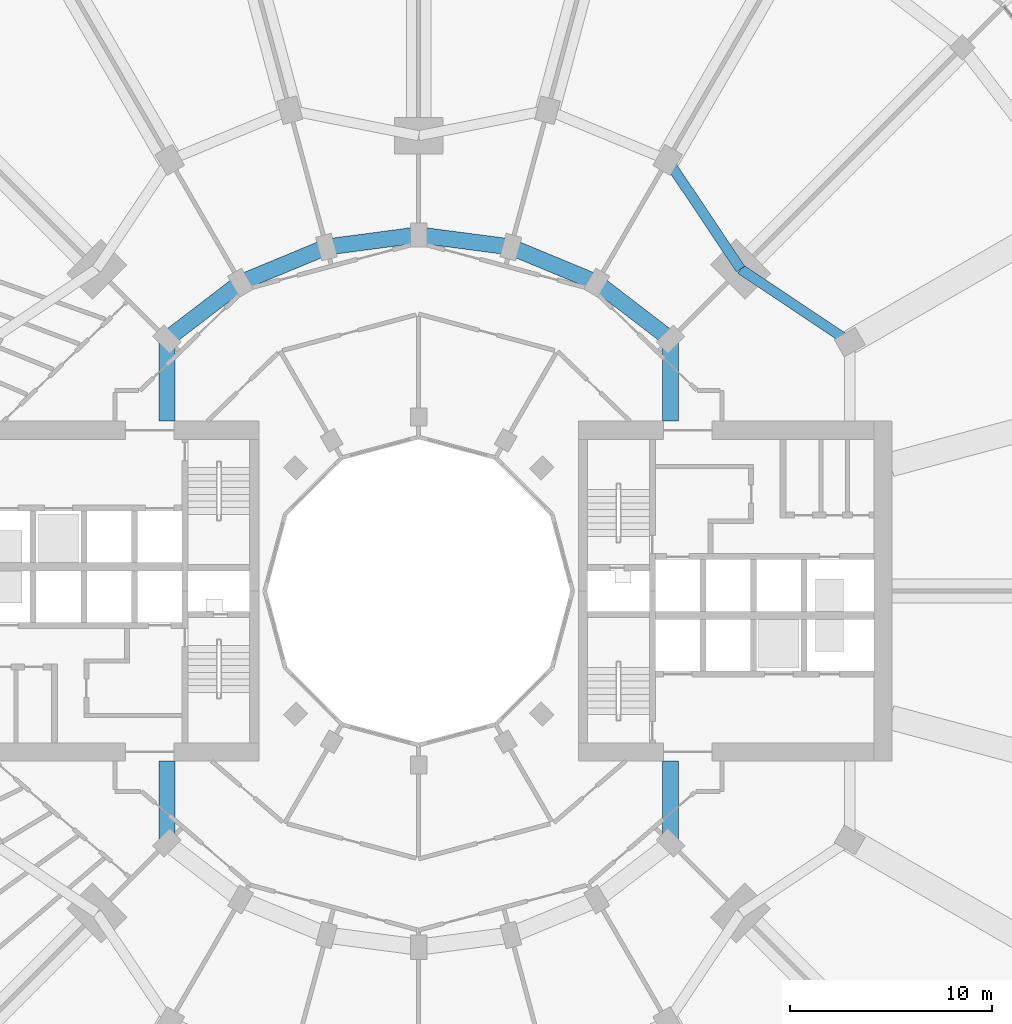
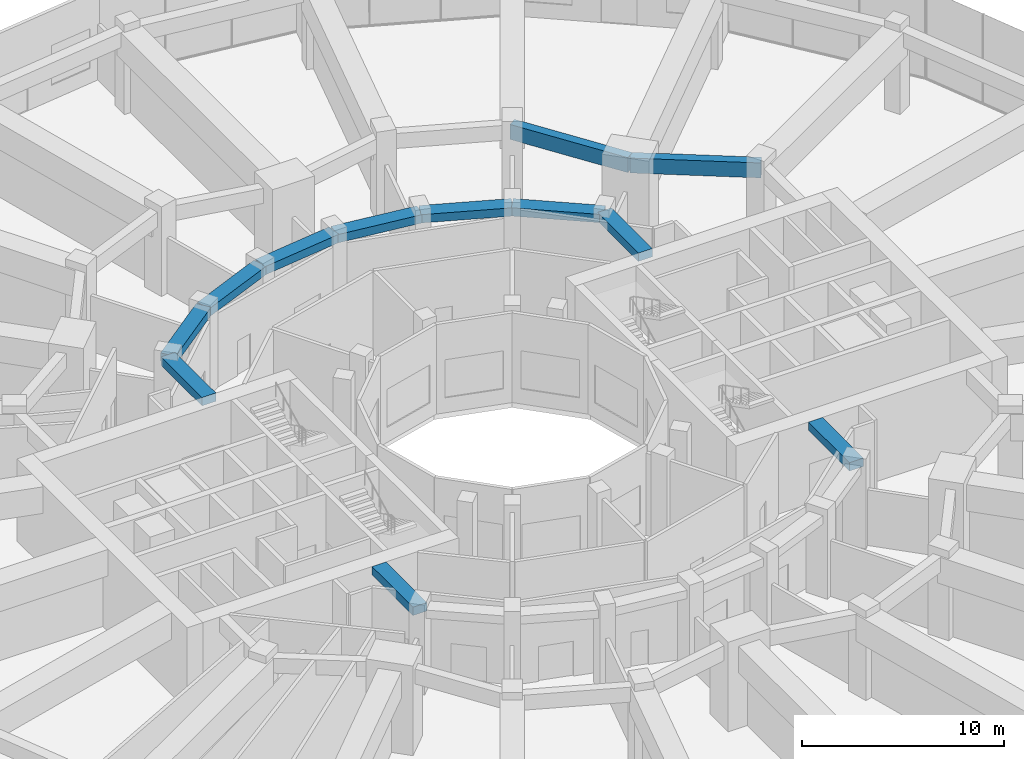
# One storey, part 10 of 30: 12 beams.
"""IFC4 building model written with IfcOpenShell, lengths in metres."""

from ifc_helpers import new_model, si_unit, direction, frame, origin, origin_2d, place, context, subcontext, project, spatial, rectangle, extrude, material, material_profile, profile_set, type_object, element, save


model = new_model("IFC4")

# Units and contexts
model_context = context("Model", 3, precision=1e-05, world=origin(), true_north=direction((0.0, 1.0)))
body_context = subcontext(model_context, "Body", "Model", "MODEL_VIEW")
ifc_project = project(units=[si_unit("LENGTHUNIT", "METRE"), si_unit("AREAUNIT", "SQUARE_METRE"), si_unit("VOLUMEUNIT", "CUBIC_METRE"), si_unit("PLANEANGLEUNIT", "RADIAN"), si_unit("MASSUNIT", "GRAM", prefix="KILO")], contexts=[model_context])

# Site, building, storey
site_placement = place(None, origin())
site = spatial("IfcSite", under=ifc_project, at=site_placement, CompositionType="ELEMENT")
building_placement = place(site_placement, origin())
building = spatial("IfcBuilding", under=site, at=building_placement, Name="Torre Brocal", CompositionType="ELEMENT")
storey_placement = place(building_placement, frame((0.0, 0.0, 7.0)))
storey = spatial("IfcBuildingStorey", under=building, at=storey_placement, Name="L01", CompositionType="ELEMENT", Elevation=7.0)

# Beams
ifc_material_1 = material(Name="Concrete C50", Category="concrete")
ifc_material_profile_1 = material_profile(ifc_material_1, rectangle(XDim=0.800048828125, YDim=0.5, at=origin_2d()), Name="RC 800X500")
ifc_profile_set_1 = profile_set([ifc_material_profile_1], Name="Concrete C50")
beam_type_1 = type_object("IfcBeamType", Name="RC BEAM 800X500 C50 TOP 4950", PredefinedType="BEAM", material=ifc_profile_set_1)
beam_1_placement = place(storey_placement, frame((92.445068359375, 87.445068359375, 4.699951171875), z_axis=(-0.793358265959, 0.6087550097, 0.0), x_axis=(-0.6087550097, -0.793358265959, 0.0)))
element("IfcBeam", 1, at=beam_1_placement, inside=storey, type_object=beam_type_1, Name="Beam BT-11", PredefinedType="BEAM", context=body_context, shape_type="SweptSolid", body=[
    extrude(rectangle(XDim=0.800048828125, YDim=0.5, at=origin_2d()), origin(), (0.0, 0.0, 1.0), 4.594482421875),
])
beam_2_placement = place(storey_placement, frame((88.800048828125, 90.241943359375, 4.699951171875), z_axis=(-0.923878240166, 0.382686552348, 0.0), x_axis=(-0.382686552348, -0.923878240166, 0.0)))
element("IfcBeam", 2, at=beam_2_placement, inside=storey, type_object=beam_type_1, Name="Beam BT-11", PredefinedType="BEAM", context=body_context, shape_type="SweptSolid", body=[
    extrude(rectangle(XDim=0.800048828125, YDim=0.5, at=origin_2d()), origin(), (0.0, 0.0, 1.0), 4.5947265625),
])
for number, where, z_axis, x_axis, name in (
    (3, (84.55517578125, 92.000244140625, 4.699951171875), (-0.991440544449, 0.130558978332, 0.0), (-0.130558978332, -0.991440544449, 0.0), "Beam BT-11"),
    (4, (80.0, 92.60009765625, 4.699951171875), (-0.991440544449, -0.130558978332, 0.0), (0.130558978332, -0.991440544449, 0.0), "Beam BT-11"),
):
    element("IfcBeam", number, at=place(storey_placement, frame(where, z_axis=z_axis, x_axis=x_axis)), inside=storey, type_object=beam_type_1, Name=name, PredefinedType="BEAM", context=body_context, shape_type="SweptSolid", body=[
        extrude(rectangle(XDim=0.800048828125, YDim=0.5, at=origin_2d()), origin(), (0.0, 0.0, 1.0), 4.594482421875),
    ])
beam_3_placement = place(storey_placement, frame((75.44482421875, 92.000244140625, 4.699951171875), z_axis=(-0.923878240166, -0.382686552348, 0.0), x_axis=(0.382686552348, -0.923878240166, 0.0)))
element("IfcBeam", 5, at=beam_3_placement, inside=storey, type_object=beam_type_1, Name="Beam BT-11", PredefinedType="BEAM", context=body_context, shape_type="SweptSolid", body=[
    extrude(rectangle(XDim=0.800048828125, YDim=0.5, at=origin_2d()), origin(), (0.0, 0.0, 1.0), 4.5947265625),
])
beam_4_placement = place(storey_placement, frame((71.199951171875, 90.241943359375, 4.699951171875), z_axis=(-0.793358265959, -0.6087550097, 0.0), x_axis=(0.6087550097, -0.793358265959, 0.0)))
element("IfcBeam", 6, at=beam_4_placement, inside=storey, type_object=beam_type_1, Name="Beam BT-11", PredefinedType="BEAM", context=body_context, shape_type="SweptSolid", body=[
    extrude(rectangle(XDim=0.800048828125, YDim=0.5, at=origin_2d()), origin(), (0.0, 0.0, 1.0), 4.594482421875),
])
for number, where, z_axis, x_axis, name in (
    (7, (67.554931640625, 87.445068359375, 4.699951171875), (0.0, -1.0, 0.0), (1.0, 0.0, 0.0), "Beam BT-11"),
    (8, (67.554931640625, 62.554931640625, 4.699951171875), (0.0, 1.0, 0.0), (-1.0, 0.0, 0.0), "Beam BT-11"),
    (9, (92.445068359375, 62.554931640625, 4.699951171875), (0.0, 1.0, 0.0), (-1.0, 0.0, 0.0), "Beam BT-11"),
    (10, (92.445068359375, 87.445068359375, 4.699951171875), (0.0, -1.0, 0.0), (1.0, 0.0, 0.0), "Beam BT-11"),
):
    element("IfcBeam", number, at=place(storey_placement, frame(where, z_axis=z_axis, x_axis=x_axis)), inside=storey, type_object=beam_type_1, Name=name, PredefinedType="BEAM", context=body_context, shape_type="SweptSolid", body=[
        extrude(rectangle(XDim=0.800048828125, YDim=0.5, at=origin_2d()), origin(), (0.0, 0.0, 1.0), 4.045166015625),
    ])
ifc_material_2 = material(Name="Concrete C50", Category="concrete")
ifc_material_profile_2 = material_profile(ifc_material_2, rectangle(XDim=0.5, YDim=0.89990234375, at=origin_2d()), Name="RC 500X900")
ifc_profile_set_2 = profile_set([ifc_material_profile_2], Name="Concrete C50")
beam_type_2 = type_object("IfcBeamType", Name="RC SPANDREL BEAM 500X900 C50 TOP 4950", PredefinedType="SPANDREL", material=ifc_profile_set_2)
for number, where, z_axis, x_axis, name in (
    (11, (101.30419921875, 87.300048828125, 4.5), (-0.831076844476, 0.556157602282, 0.0), (-0.556157602282, -0.831076844476, 0.0), "Beam BT-12"),
    (12, (95.909912109375, 90.909912109375, 4.5), (-0.556157602282, 0.831076844476, 0.0), (-0.831076844476, -0.556157602282, 0.0), "Beam BT-12"),
):
    element("IfcBeam", number, at=place(storey_placement, frame(where, z_axis=z_axis, x_axis=x_axis)), inside=storey, type_object=beam_type_2, Name=name, PredefinedType="SPANDREL", context=body_context, shape_type="SweptSolid", body=[
        extrude(rectangle(XDim=0.5, YDim=0.89990234375, at=origin_2d()), origin(), (0.0, 0.0, 1.0), 6.49072265625),
    ])

save(model, "model.ifc")
